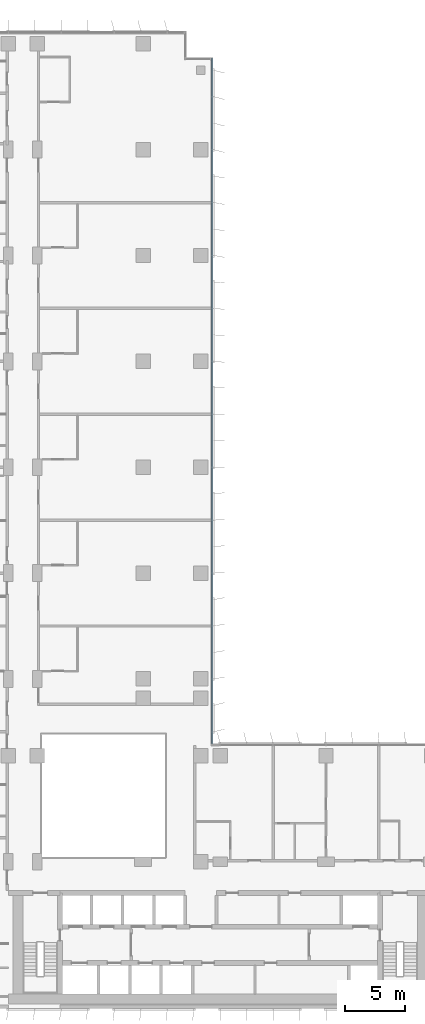
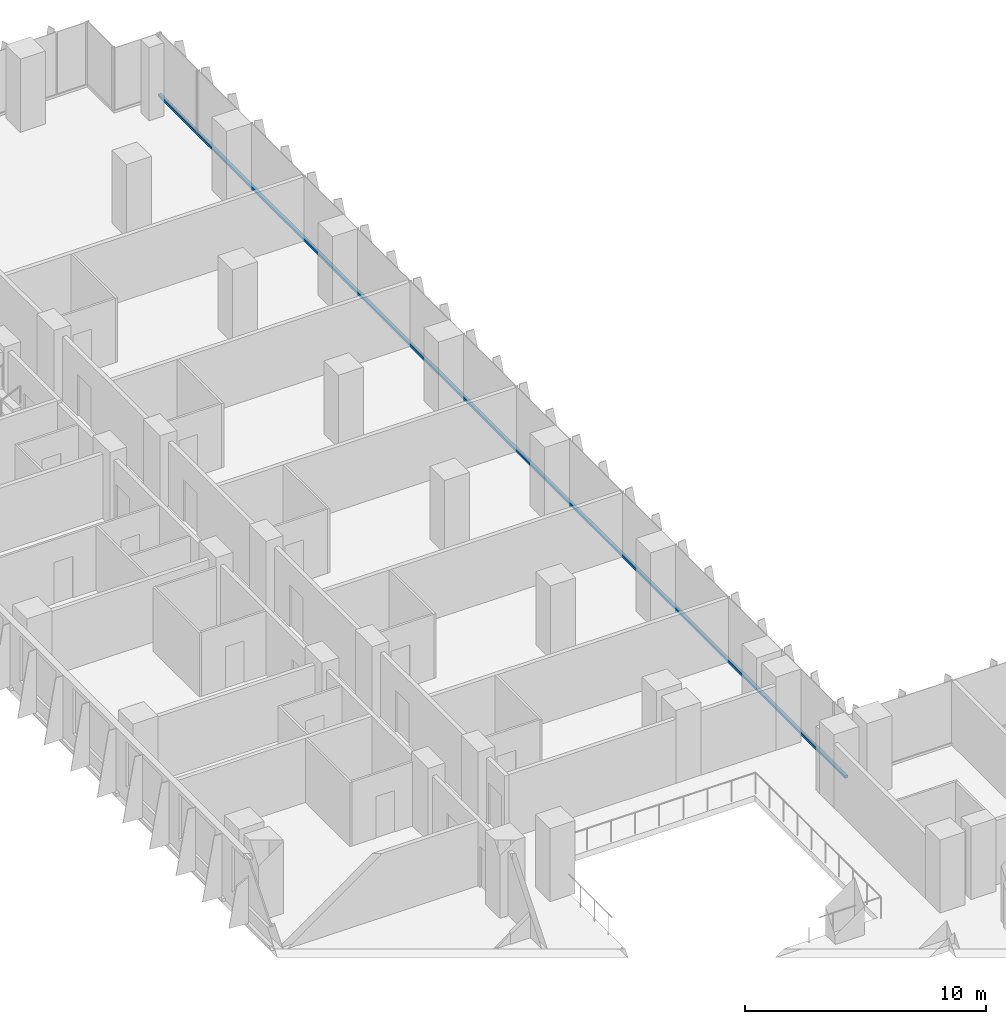
# One storey, part 6 of 22: 1 member, 1 element without a shape of its own.
"""IFC4 building model written with IfcOpenShell, lengths in metres."""

from ifc_helpers import new_model, si_unit, direction, frame, origin, origin_2d, place, context, subcontext, project, spatial, rectangle, extrude, material, material_profile, profile_set, type_object, element, aggregate, save


model = new_model("IFC4")

# Units and contexts
model_context = context("Model", 3, precision=1e-05, world=origin(), true_north=direction((0.0, 1.0)))
body_context = subcontext(model_context, "Body", "Model", "MODEL_VIEW")
ifc_project = project(units=[si_unit("LENGTHUNIT", "METRE"), si_unit("AREAUNIT", "SQUARE_METRE"), si_unit("VOLUMEUNIT", "CUBIC_METRE"), si_unit("PLANEANGLEUNIT", "RADIAN"), si_unit("MASSUNIT", "GRAM", prefix="KILO")], contexts=[model_context])

# Site, building, storey
site_placement = place(None, origin())
site = spatial("IfcSite", under=ifc_project, at=site_placement, CompositionType="ELEMENT")
building_placement = place(site_placement, origin())
building = spatial("IfcBuilding", under=site, at=building_placement, Name="Kemantara Hotel Tower", CompositionType="ELEMENT")
storey_placement = place(building_placement, frame((0.0, 0.0, 149.39990234375)))
storey = spatial("IfcBuildingStorey", under=building, at=storey_placement, Name="L36", CompositionType="ELEMENT", Elevation=149.39990234375)

# Curtain wall, member
ifc_material_1 = material(Name="Low-E tinted double insulated glass 36 mm", Category="glass")
curtain_wall_type = type_object("IfcCurtainWallType", Name="TOWER CURTAIN WALL, FRONT FACES", PredefinedType="USERDEFINED", material=ifc_material_1)
curtain_wall_placement = place(storey_placement, origin())
curtain_wall = element("IfcCurtainWall", 1, at=curtain_wall_placement, inside=storey, type_object=curtain_wall_type, Name="CW4 L36 T2-R14-1", ObjectType="TOWER CURTAIN WALL, FRONT FACES", PredefinedType="USERDEFINED")
ifc_material_2 = material(Name="Aluminium 6063-T6 bronze anodised", Category="aluminium")
ifc_material_profile = material_profile(ifc_material_2, rectangle(XDim=0.14990234375, YDim=0.1201171875, at=origin_2d()), Name="TOWER CURTAIN WALL, FRONT FACES TRANSOM")
ifc_profile_set = profile_set([ifc_material_profile], Name="Aluminium 6063-T6 bronze anodised")
member_type = type_object("IfcMemberType", Name="TOWER CURTAIN WALL, FRONT FACES TRANSOM", PredefinedType="USERDEFINED", material=ifc_profile_set)
member_placement = place(storey_placement, frame((26.72509765625, 22.0, 0.06005859375), z_axis=(0.0, 1.0, 0.0), x_axis=(-1.0, 0.0, 0.0)))
member = element("IfcMember", 2, at=member_placement, type_object=member_type, Name="CW4 sill transom T2-R14-1", ObjectType="TRANSOM", PredefinedType="USERDEFINED", context=body_context, shape_type="SweptSolid", body=[
    extrude(rectangle(XDim=0.14990234375, YDim=0.1201171875, at=origin_2d()), origin(), (0.0, 0.0, 1.0), 57.0),
])
aggregate(curtain_wall, [member])

save(model, "model.ifc")
